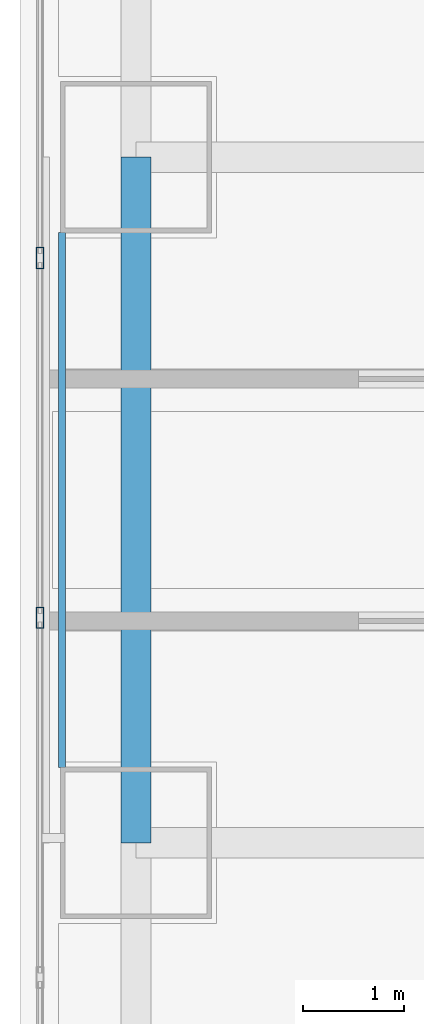
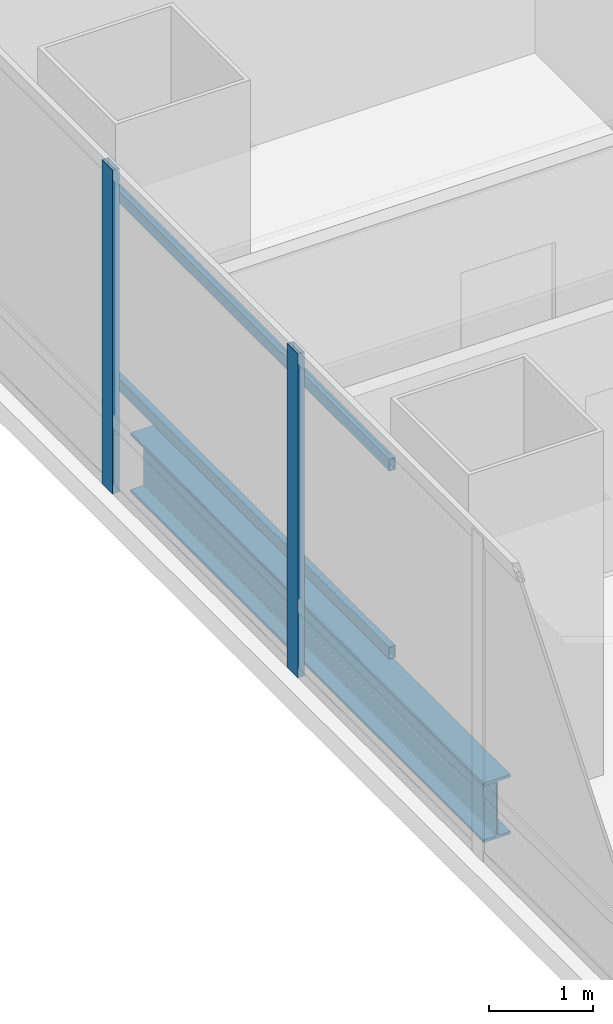
# One storey, part 9 of 34: 4 members, 1 beam, 1 element without a shape of its own.
"""IFC4 building model written with IfcOpenShell, lengths in metres."""

from ifc_helpers import new_model, si_unit, direction, frame, origin, origin_2d, place, context, subcontext, project, spatial, hollow_rectangle, i_section, extrude, material, material_profile, profile_set, type_object, element, aggregate, save


model = new_model("IFC4")

# Units and contexts
model_context = context("Model", 3, precision=1e-05, world=origin(), true_north=direction((0.0, 1.0)))
body_context = subcontext(model_context, "Body", "Model", "MODEL_VIEW")
ifc_project = project(units=[si_unit("LENGTHUNIT", "METRE"), si_unit("AREAUNIT", "SQUARE_METRE"), si_unit("VOLUMEUNIT", "CUBIC_METRE"), si_unit("PLANEANGLEUNIT", "RADIAN"), si_unit("MASSUNIT", "GRAM", prefix="KILO")], contexts=[model_context])

# Site, building, storey
site_placement = place(None, origin())
site = spatial("IfcSite", under=ifc_project, at=site_placement, CompositionType="ELEMENT")
building_placement = place(site_placement, origin())
building = spatial("IfcBuilding", under=site, at=building_placement, Name="Punatoya Terracotta Tower", CompositionType="ELEMENT")
storey_placement = place(building_placement, frame((0.0, 0.0, 101.10009765625)))
storey = spatial("IfcBuildingStorey", under=building, at=storey_placement, Name="L23", CompositionType="ELEMENT", Elevation=101.10009765625)

# Beam
ifc_material_1 = material(Name="Steel S355", Category="steel")
ifc_material_profile_1 = material_profile(ifc_material_1, i_section(OverallWidth=0.300048828125, OverallDepth=0.699951171875, WebThickness=0.01708984375, FlangeThickness=0.031982421875, FilletRadius=0.01806640625, at=origin_2d()))
ifc_profile_set_1 = profile_set([ifc_material_profile_1], Name="Steel S355")
beam_type = type_object("IfcBeamType", Name="BM-PRI-700", PredefinedType="BEAM", material=ifc_profile_set_1)
beam_placement = place(storey_placement, frame((-19.10009765625, -3.39990234375, -0.590087890625), z_axis=(0.0, 1.0, 0.0), x_axis=(-1.0, 0.0, 0.0)))
element("IfcBeam", 1, at=beam_placement, inside=storey, type_object=beam_type, Name="BM-L23-RG-W2", PredefinedType="BEAM", context=body_context, shape_type="SweptSolid", body=[
    extrude(i_section(OverallWidth=0.300048828125, OverallDepth=0.699951171875, WebThickness=0.01708984375, FlangeThickness=0.031982421875, FilletRadius=0.01806640625, at=origin_2d()), origin(), (0.0, 0.0, 1.0), 6.7998046875),
])

# Curtain wall, members
ifc_material_2 = material(Name="Aluminium 6063-T6 + Double Low-E Glass", Category="aluminium")
curtain_wall_type = type_object("IfcCurtainWallType", Name="CW-M1", PredefinedType="NOTDEFINED", material=ifc_material_2)
curtain_wall_placement = place(storey_placement, origin())
curtain_wall = element("IfcCurtainWall", 2, at=curtain_wall_placement, inside=storey, type_object=curtain_wall_type, Name="L23 Curtain Wall CW-L23-W13-1", PredefinedType="NOTDEFINED")
ifc_material_3 = material(Name="Aluminium 6063-T6", Category="aluminium")
ifc_material_profile_2 = material_profile(ifc_material_3, hollow_rectangle(XDim=0.074951171875, YDim=0.2099609375, WallThickness=0.00439453125, at=origin_2d()))
ifc_profile_set_2 = profile_set([ifc_material_profile_2], Name="Aluminium 6063-T6")
member_type_1 = type_object("IfcMemberType", Name="CW-MUL-M1", PredefinedType="MULLION", material=ifc_profile_set_2)
member_1_placement = place(storey_placement, frame((-20.050048828125, 2.39990234375, 0.0), z_axis=(0.0, 0.0, 1.0), x_axis=(1.0, 0.0, 0.0)))
member_1 = element("IfcMember", 3, at=member_1_placement, type_object=member_type_1, Name="CW-L23-W13-1 Mullion 05", PredefinedType="MULLION", context=body_context, shape_type="SweptSolid", body=[
    extrude(hollow_rectangle(XDim=0.074951171875, YDim=0.2099609375, WallThickness=0.00439453125, at=origin_2d()), origin(), (0.0, 0.0, 1.0), 3.809814453125),
])
member_2_placement = place(storey_placement, frame((-20.050048828125, -1.16748046875, 0.0), z_axis=(0.0, 0.0, 1.0), x_axis=(1.0, 0.0, 0.0)))
member_2 = element("IfcMember", 4, at=member_2_placement, type_object=member_type_1, Name="CW-L23-W13-1 Mullion 06", PredefinedType="MULLION", context=body_context, shape_type="SweptSolid", body=[
    extrude(hollow_rectangle(XDim=0.074951171875, YDim=0.2099609375, WallThickness=0.00439453125, at=origin_2d()), origin(), (0.0, 0.0, 1.0), 3.809814453125),
])
aggregate(curtain_wall, [member_1, member_2])

# Members
ifc_material_profile_3 = material_profile(ifc_material_1, hollow_rectangle(XDim=0.070068359375, YDim=0.139892578125, WallThickness=0.006103515625, at=origin_2d()))
ifc_profile_set_3 = profile_set([ifc_material_profile_3], Name="Steel S355")
member_type_2 = type_object("IfcMemberType", Name="MEM-BAG-RAIL", PredefinedType="USERDEFINED", material=ifc_profile_set_3)
for number, where, z_axis, x_axis, name in (
    (5, (-19.83203125, -2.650390625, 1.0498046875), (0.0, 1.0, 0.0), (-1.0, 0.0, 0.0), "L23 Terracotta Baguette Carrier Rail BAG-L23-W-R1"),
    (6, (-19.83203125, -2.650390625, 3.260009765625), (0.0, 1.0, 0.0), (-1.0, 0.0, 0.0), "L23 Terracotta Baguette Carrier Rail BAG-L23-W-R2"),
):
    element("IfcMember", number, at=place(storey_placement, frame(where, z_axis=z_axis, x_axis=x_axis)), inside=storey, type_object=member_type_2, Name=name, ObjectType="BAGUETTE", PredefinedType="USERDEFINED", context=body_context, shape_type="SweptSolid", body=[
        extrude(hollow_rectangle(XDim=0.070068359375, YDim=0.139892578125, WallThickness=0.006103515625, at=origin_2d()), origin(), (0.0, 0.0, 1.0), 5.30078125),
    ])

save(model, "model.ifc")
